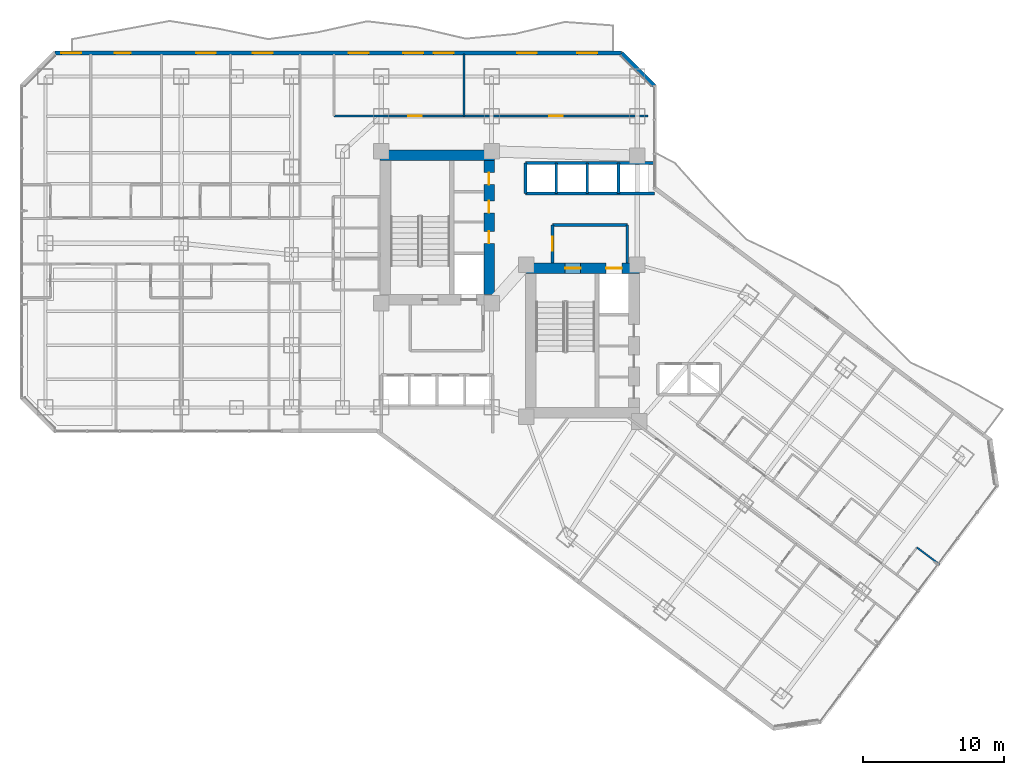
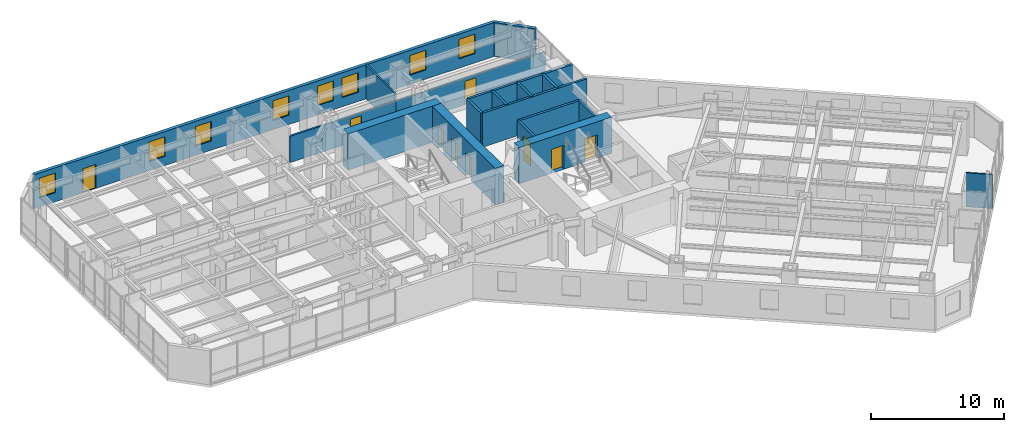
# One storey, part 27 of 38: 18 walls, 9 doors, 8 windows, 17 openings.
"""IFC4 building model written with IfcOpenShell, lengths in metres."""

from ifc_helpers import new_model, si_unit, direction, frame, frame_2d, origin, place, context, subcontext, project, spatial, rectangle, extrude, material, layer, layer_set, type_object, element, fill, save


model = new_model("IFC4")

# Units and contexts
model_context = context("Model", 3, precision=1e-05, world=origin(), true_north=direction((0.0, 1.0)))
body_context = subcontext(model_context, "Body", "Model", "MODEL_VIEW")
ifc_project = project(units=[si_unit("LENGTHUNIT", "METRE"), si_unit("AREAUNIT", "SQUARE_METRE"), si_unit("VOLUMEUNIT", "CUBIC_METRE"), si_unit("PLANEANGLEUNIT", "RADIAN"), si_unit("MASSUNIT", "GRAM", prefix="KILO")], contexts=[model_context])

# Site, building, storey
site_placement = place(None, origin())
site = spatial("IfcSite", under=ifc_project, at=site_placement, CompositionType="ELEMENT")
building_placement = place(site_placement, origin())
building = spatial("IfcBuilding", under=site, at=building_placement, Name="Hatsunagi Terrace Concourse", CompositionType="ELEMENT")
storey_placement = place(building_placement, frame((0.0, 0.0, 60.050048828125)))
storey = spatial("IfcBuildingStorey", under=building, at=storey_placement, Name="L15", CompositionType="ELEMENT", Elevation=60.050048828125)

# Wall
ifc_material_1 = material(Name="Concrete Fc60", Category="concrete")
ifc_layer_1 = layer(ifc_material_1, 0.75)
ifc_layer_set_1 = layer_set([ifc_layer_1], Name="CoreShearWall_Fc60_750")
wall_type_1 = type_object("IfcWallType", Name="CoreShearWall_Fc60_750", PredefinedType="SHEAR", material=ifc_layer_set_1)
wall_1_placement = place(storey_placement, frame((25.469970703125, 43.044921875, 0.0), z_axis=(0.0, 0.0, 1.0), x_axis=(1.0, 0.0, 0.0)))
element("IfcWall", 1, at=wall_1_placement, inside=storey, type_object=wall_type_1, Name="Core A Shear Wall N L15", PredefinedType="SHEAR", context=body_context, shape_type="SweptSolid", body=[
    extrude(rectangle(XDim=8.080078125, YDim=0.75, at=frame_2d((4.0400390625, 0.0))), origin(), (0.0, 0.0, 1.0), 3.349853515625),
])

# Wall, openings, doors
wall_2_placement = place(storey_placement, frame((33.175048828125, 33.18994140625, 0.0), z_axis=(0.0, 0.0, 1.0), x_axis=(0.0, 1.0, 0.0)))
wall_2 = element("IfcWall", 2, at=wall_2_placement, inside=storey, type_object=wall_type_1, Name="Core A Shear Wall E L15", PredefinedType="SHEAR", context=body_context, shape_type="SweptSolid", body=[
    extrude(rectangle(XDim=9.47998046875, YDim=0.75, at=frame_2d((4.739990234375, 0.0))), origin(), (0.0, 0.0, 1.0), 3.349853515625),
])
opening_1_placement = place(wall_2_placement, frame((3.610107421875, 0.0, 0.0)))
opening_1 = element("IfcOpeningElement", 3, at=opening_1_placement, cuts=wall_2, Name="Opening DR-085", PredefinedType="OPENING", context=body_context, shape_type="SweptSolid", body=[
    extrude(rectangle(XDim=0.85009765625, YDim=2.080078125, at=frame_2d((0.425048828125, 1.0400390625))), frame((0.0, 0.385009765625, 0.0), z_axis=(0.0, -1.0, 0.0), x_axis=(1.0, 0.0, 0.0)), (0.0, 0.0, 1.0), 0.77001953125),
])
opening_2_placement = place(wall_2_placement, frame((5.760009765625, 0.0, 0.0)))
opening_2 = element("IfcOpeningElement", 4, at=opening_2_placement, cuts=wall_2, Name="Opening DR-085", PredefinedType="OPENING", context=body_context, shape_type="SweptSolid", body=[
    extrude(rectangle(XDim=0.85009765625, YDim=2.080078125, at=frame_2d((0.425048828125, 1.0400390625))), frame((0.0, 0.385009765625, 0.0), z_axis=(0.0, -1.0, 0.0), x_axis=(1.0, 0.0, 0.0)), (0.0, 0.0, 1.0), 0.77001953125),
])
opening_3_placement = place(wall_2_placement, frame((7.760009765625, 0.0, 0.0)))
opening_3 = element("IfcOpeningElement", 5, at=opening_3_placement, cuts=wall_2, Name="Opening DR-085", PredefinedType="OPENING", context=body_context, shape_type="SweptSolid", body=[
    extrude(rectangle(XDim=0.85009765625, YDim=2.080078125, at=frame_2d((0.425048828125, 1.0400390625))), frame((0.0, 0.385009765625, 0.0), z_axis=(0.0, -1.0, 0.0), x_axis=(1.0, 0.0, 0.0)), (0.0, 0.0, 1.0), 0.77001953125),
])
ifc_material_2 = material(Name="Painted steel", Category="steel")
door_type_1 = type_object("IfcDoorType", Name="RiserAccessDoor_EI60_850", OperationType="NOTDEFINED", PredefinedType="DOOR", material=ifc_material_2)
door_1_placement = place(opening_1_placement, origin())
door_1 = element("IfcDoor", 6, at=door_1_placement, inside=storey, type_object=door_type_1, Name="Core A Riser Door L15-1", OperationType="SINGLE_SWING_LEFT", OverallHeight=2.080078125, OverallWidth=0.85009765625, PredefinedType="DOOR", context=body_context, shape_type="SweptSolid", body=[
    extrude(rectangle(XDim=0.85009765625, YDim=2.080078125, at=frame_2d((0.425048828125, 1.0400390625))), frame((0.0, 0.02490234375, 0.0), z_axis=(0.0, -1.0, 0.0), x_axis=(1.0, 0.0, 0.0)), (0.0, 0.0, 1.0), 0.050048828125),
])
fill(opening_1, door_1)
door_2_placement = place(opening_2_placement, origin())
door_2 = element("IfcDoor", 7, at=door_2_placement, inside=storey, type_object=door_type_1, Name="Core A Riser Door L15-2", OperationType="SINGLE_SWING_LEFT", OverallHeight=2.080078125, OverallWidth=0.85009765625, PredefinedType="DOOR", context=body_context, shape_type="SweptSolid", body=[
    extrude(rectangle(XDim=0.85009765625, YDim=2.080078125, at=frame_2d((0.425048828125, 1.0400390625))), frame((0.0, 0.02490234375, 0.0), z_axis=(0.0, -1.0, 0.0), x_axis=(1.0, 0.0, 0.0)), (0.0, 0.0, 1.0), 0.050048828125),
])
fill(opening_2, door_2)
door_3_placement = place(opening_3_placement, origin())
door_3 = element("IfcDoor", 8, at=door_3_placement, inside=storey, type_object=door_type_1, Name="Core A Riser Door L15-3", OperationType="SINGLE_SWING_LEFT", OverallHeight=2.080078125, OverallWidth=0.85009765625, PredefinedType="DOOR", context=body_context, shape_type="SweptSolid", body=[
    extrude(rectangle(XDim=0.85009765625, YDim=2.080078125, at=frame_2d((0.425048828125, 1.0400390625))), frame((0.0, 0.02490234375, 0.0), z_axis=(0.0, -1.0, 0.0), x_axis=(1.0, 0.0, 0.0)), (0.0, 0.0, 1.0), 0.050048828125),
])
fill(opening_3, door_3)

wall_3_placement = place(storey_placement, frame((35.739990234375, 35.044921875, 0.0), z_axis=(0.0, 0.0, 1.0), x_axis=(1.0, 0.0, 0.0)))
wall_3 = element("IfcWall", 9, at=wall_3_placement, inside=storey, type_object=wall_type_1, Name="Core B Shear Wall N L15", PredefinedType="SHEAR", context=body_context, shape_type="SweptSolid", body=[
    extrude(rectangle(XDim=8.06005859375, YDim=0.75, at=frame_2d((4.030029296875, 0.0))), origin(), (0.0, 0.0, 1.0), 3.349853515625),
])
opening_4_placement = place(wall_3_placement, frame((2.81005859375, 0.0, 0.0)))
opening_4 = element("IfcOpeningElement", 10, at=opening_4_placement, cuts=wall_3, Name="Opening DR-110S", PredefinedType="OPENING", context=body_context, shape_type="SweptSolid", body=[
    extrude(rectangle(XDim=1.10009765625, YDim=2.199951171875, at=frame_2d((0.550048828125, 1.10009765625))), frame((0.0, 0.385009765625, 0.0), z_axis=(0.0, -1.0, 0.0), x_axis=(1.0, 0.0, 0.0)), (0.0, 0.0, 1.0), 0.77001953125),
])
opening_5_placement = place(wall_3_placement, frame((5.7099609375, 0.0, 0.0)))
opening_5 = element("IfcOpeningElement", 11, at=opening_5_placement, cuts=wall_3, Name="Opening LD-02", PredefinedType="OPENING", context=body_context, shape_type="SweptSolid", body=[
    extrude(rectangle(XDim=1.1201171875, YDim=2.14990234375, at=frame_2d((0.56005859375, 1.074951171875))), frame((0.0, 0.385009765625, 0.0), z_axis=(0.0, -1.0, 0.0), x_axis=(1.0, 0.0, 0.0)), (0.0, 0.0, 1.0), 0.77001953125),
])
ifc_material_3 = material(Name="Stainless steel", Category="steel")
door_type_2 = type_object("IfcDoorType", Name="LiftLandingDoor_LD02", OperationType="SLIDING_TO_RIGHT", PredefinedType="USERDEFINED", material=ifc_material_3)
door_4_placement = place(opening_5_placement, origin())
door_4 = element("IfcDoor", 12, at=door_4_placement, inside=storey, type_object=door_type_2, Name="Lift landing door FF-02 L15", ObjectType="SLIDING_LANDING_DOOR", OperationType="SLIDING_TO_RIGHT", OverallHeight=2.14990234375, OverallWidth=1.1201171875, PredefinedType="USERDEFINED", context=body_context, shape_type="SweptSolid", body=[
    extrude(rectangle(XDim=1.1201171875, YDim=2.14990234375, at=frame_2d((0.56005859375, 1.074951171875))), frame((0.0, 0.02490234375, 0.0), z_axis=(0.0, -1.0, 0.0), x_axis=(1.0, 0.0, 0.0)), (0.0, 0.0, 1.0), 0.050048828125),
])
fill(opening_5, door_4)
ifc_material_4 = material(Name="Painted steel", Category="steel")
door_type_3 = type_object("IfcDoorType", Name="StairFireDoor_EI60_1100", OperationType="NOTDEFINED", PredefinedType="DOOR", material=ifc_material_4)
door_5_placement = place(opening_4_placement, origin())
door_5 = element("IfcDoor", 13, at=door_5_placement, inside=storey, type_object=door_type_3, Name="Stair ST-B Exit Door L15", OperationType="SINGLE_SWING_RIGHT", OverallHeight=2.199951171875, OverallWidth=1.10009765625, PredefinedType="DOOR", context=body_context, shape_type="SweptSolid", body=[
    extrude(rectangle(XDim=1.10009765625, YDim=2.199951171875, at=frame_2d((0.550048828125, 1.10009765625))), frame((0.0, 0.02490234375, 0.0), z_axis=(0.0, -1.0, 0.0), x_axis=(1.0, 0.0, 0.0)), (0.0, 0.0, 1.0), 0.050048828125),
])
fill(opening_4, door_5)

# Wall
ifc_material_5 = material(Name="Acoustic mineral board", Category="gypsum")
ifc_layer_2 = layer(ifc_material_5, 0.1201171875)
ifc_layer_set_2 = layer_set([ifc_layer_2], Name="PartitionWall_EI30_120")
wall_type_2 = type_object("IfcWallType", Name="PartitionWall_EI30_120", PredefinedType="PARTITIONING", material=ifc_layer_set_2)
wall_4_placement = place(storey_placement, frame((63.429931640625, 15.2900390625, 0.0), z_axis=(0.0, 0.0, 1.0), x_axis=(0.800014574191, -0.599980567254, 0.0)))
element("IfcWall", 14, at=wall_4_placement, inside=storey, type_object=wall_type_2, Name="Interior Partition IW-L15-102", PredefinedType="PARTITIONING", context=body_context, shape_type="SweptSolid", body=[
    extrude(rectangle(XDim=2.01025390625, YDim=0.1201171875, at=frame_2d((1.005126953125, 0.0))), origin(), (0.0, 0.0, 1.0), 3.1298828125),
])

# Wall, opening, door
ifc_material_6 = material(Name="Acoustic mineral board", Category="gypsum")
ifc_layer_3 = layer(ifc_material_6, 0.14990234375)
ifc_layer_set_3 = layer_set([ifc_layer_3], Name="PartitionWall_EI60_150")
wall_type_3 = type_object("IfcWallType", Name="PartitionWall_EI60_150", PredefinedType="PARTITIONING", material=ifc_layer_set_3)
wall_5_placement = place(storey_placement, frame((22.199951171875, 45.800048828125, 0.0), z_axis=(0.0, 0.0, 1.0), x_axis=(1.0, 0.0, 0.0)))
wall_5 = element("IfcWall", 15, at=wall_5_placement, inside=storey, type_object=wall_type_3, Name="Interior Partition IW-L15-039", PredefinedType="PARTITIONING", context=body_context, shape_type="SweptSolid", body=[
    extrude(rectangle(XDim=9.199951171875, YDim=0.14990234375, at=frame_2d((4.60009765625, 0.0))), origin(), (0.0, 0.0, 1.0), 2.425048828125),
])
opening_6_placement = place(wall_5_placement, frame((5.248046875, 0.0, 0.0)))
opening_6 = element("IfcOpeningElement", 16, at=opening_6_placement, cuts=wall_5, Name="Opening DR-095", PredefinedType="OPENING", context=body_context, shape_type="SweptSolid", body=[
    extrude(rectangle(XDim=0.949951171875, YDim=2.14990234375, at=frame_2d((0.47509765625, 1.074951171875))), frame((0.0, 0.0849609375, 0.0), z_axis=(0.0, -1.0, 0.0), x_axis=(1.0, 0.0, 0.0)), (0.0, 0.0, 1.0), 0.169921875),
])
ifc_material_7 = material(Name="Hardwood timber", Category="wood")
door_type_4 = type_object("IfcDoorType", Name="InteriorSuiteDoor_EI30_950", OperationType="NOTDEFINED", PredefinedType="DOOR", material=ifc_material_7)
door_6_placement = place(opening_6_placement, origin())
door_6 = element("IfcDoor", 17, at=door_6_placement, inside=storey, type_object=door_type_4, Name="Housekeeping Linen Room L15-HLIN Door", OperationType="SINGLE_SWING_LEFT", OverallHeight=2.14990234375, OverallWidth=0.949951171875, PredefinedType="DOOR", context=body_context, shape_type="SweptSolid", body=[
    extrude(rectangle(XDim=0.949951171875, YDim=2.14990234375, at=frame_2d((0.47509765625, 1.074951171875))), frame((0.0, 0.02490234375, 0.0), z_axis=(0.0, -1.0, 0.0), x_axis=(1.0, 0.0, 0.0)), (0.0, 0.0, 1.0), 0.050048828125),
])
fill(opening_6, door_6)

# Wall
wall_6_placement = place(storey_placement, frame((31.39990234375, 45.800048828125, 0.0), z_axis=(0.0, 0.0, 1.0), x_axis=(0.0, 1.0, 0.0)))
element("IfcWall", 18, at=wall_6_placement, inside=storey, type_object=wall_type_3, Name="Interior Partition IW-L15-041", PredefinedType="PARTITIONING", context=body_context, shape_type="SweptSolid", body=[
    extrude(rectangle(XDim=4.39990234375, YDim=0.14990234375, at=frame_2d((2.199951171875, 0.0))), origin(), (0.0, 0.0, 1.0), 3.1298828125),
])

# Wall, opening, door
wall_7_placement = place(storey_placement, frame((31.39990234375, 45.800048828125, 0.0), z_axis=(0.0, 0.0, 1.0), x_axis=(1.0, 0.0, 0.0)))
wall_7 = element("IfcWall", 19, at=wall_7_placement, inside=storey, type_object=wall_type_3, Name="Interior Partition IW-L15-042", PredefinedType="PARTITIONING", context=body_context, shape_type="SweptSolid", body=[
    extrude(rectangle(XDim=13.0, YDim=0.14990234375, at=frame_2d((6.5, 0.0))), origin(), (0.0, 0.0, 1.0), 2.425048828125),
])
opening_7_placement = place(wall_7_placement, frame((6.02490234375, 0.0, 0.0)))
opening_7 = element("IfcOpeningElement", 20, at=opening_7_placement, cuts=wall_7, Name="Opening DR-095", PredefinedType="OPENING", context=body_context, shape_type="SweptSolid", body=[
    extrude(rectangle(XDim=0.949951171875, YDim=2.14990234375, at=frame_2d((0.47509765625, 1.074951171875))), frame((0.0, 0.0849609375, 0.0), z_axis=(0.0, -1.0, 0.0), x_axis=(1.0, 0.0, 0.0)), (0.0, 0.0, 1.0), 0.169921875),
])
door_7_placement = place(opening_7_placement, origin())
door_7 = element("IfcDoor", 21, at=door_7_placement, inside=storey, type_object=door_type_4, Name="VIP Lounge L15-HLNG Door", OperationType="SINGLE_SWING_LEFT", OverallHeight=2.14990234375, OverallWidth=0.949951171875, PredefinedType="DOOR", context=body_context, shape_type="SweptSolid", body=[
    extrude(rectangle(XDim=0.949951171875, YDim=2.14990234375, at=frame_2d((0.47509765625, 1.074951171875))), frame((0.0, 0.02490234375, 0.0), z_axis=(0.0, -1.0, 0.0), x_axis=(1.0, 0.0, 0.0)), (0.0, 0.0, 1.0), 0.050048828125),
])
fill(opening_7, door_7)

# Walls
ifc_material_8 = material(Name="Acoustic mineral board", Category="gypsum")
ifc_layer_4 = layer(ifc_material_8, 0.199951171875)
ifc_layer_set_4 = layer_set([ifc_layer_4], Name="ShaftWall_EI120_200")
wall_type_4 = type_object("IfcWallType", Name="ShaftWall_EI120_200", PredefinedType="STANDARD", material=ifc_layer_set_4)
wall_8_placement = place(storey_placement, frame((37.64990234375, 38.10009765625, 0.0), z_axis=(0.0, 0.0, 1.0), x_axis=(1.0, 0.0, 0.0)))
element("IfcWall", 22, at=wall_8_placement, inside=storey, type_object=wall_type_4, Name="Interior Partition IW-L15-010", PredefinedType="STANDARD", context=body_context, shape_type="SweptSolid", body=[
    extrude(rectangle(XDim=5.300048828125, YDim=0.199951171875, at=frame_2d((2.64990234375, 0.0))), origin(), (0.0, 0.0, 1.0), 3.1298828125),
])
wall_9_placement = place(storey_placement, frame((42.949951171875, 35.419921875, 0.0), z_axis=(0.0, 0.0, 1.0), x_axis=(0.0, 1.0, 0.0)))
element("IfcWall", 23, at=wall_9_placement, inside=storey, type_object=wall_type_4, Name="Interior Partition IW-L15-011", PredefinedType="STANDARD", context=body_context, shape_type="SweptSolid", body=[
    extrude(rectangle(XDim=2.68017578125, YDim=0.199951171875, at=frame_2d((1.340087890625, 0.0))), origin(), (0.0, 0.0, 1.0), 3.1298828125),
])

# Wall, opening, door
wall_10_placement = place(storey_placement, frame((37.64990234375, 35.419921875, 0.0), z_axis=(0.0, 0.0, 1.0), x_axis=(0.0, 1.0, 0.0)))
wall_10 = element("IfcWall", 24, at=wall_10_placement, inside=storey, type_object=wall_type_4, Name="Interior Partition IW-L15-012", PredefinedType="STANDARD", context=body_context, shape_type="SweptSolid", body=[
    extrude(rectangle(XDim=2.68017578125, YDim=0.199951171875, at=frame_2d((1.340087890625, 0.0))), origin(), (0.0, 0.0, 1.0), 3.1298828125),
])
opening_8_placement = place(wall_10_placement, frame((0.840087890625, 0.0, 0.0)))
opening_8 = element("IfcOpeningElement", 25, at=opening_8_placement, cuts=wall_10, Name="Opening DR-100F", PredefinedType="OPENING", context=body_context, shape_type="SweptSolid", body=[
    extrude(rectangle(XDim=1.0, YDim=2.199951171875, at=frame_2d((0.5, 1.10009765625))), frame((0.0, 0.10986328125, 0.0), z_axis=(0.0, -1.0, 0.0), x_axis=(1.0, 0.0, 0.0)), (0.0, 0.0, 1.0), 0.219970703125),
])
ifc_material_9 = material(Name="Painted steel", Category="steel")
door_type_5 = type_object("IfcDoorType", Name="FireDoor_EI60_1000", OperationType="NOTDEFINED", PredefinedType="DOOR", material=ifc_material_9)
door_8_placement = place(opening_8_placement, origin())
door_8 = element("IfcDoor", 26, at=door_8_placement, inside=storey, type_object=door_type_5, Name="Firefighting Lobby B Door L15", OperationType="SINGLE_SWING_RIGHT", OverallHeight=2.199951171875, OverallWidth=1.0, PredefinedType="DOOR", context=body_context, shape_type="SweptSolid", body=[
    extrude(rectangle(XDim=1.0, YDim=2.199951171875, at=frame_2d((0.5, 1.10009765625))), frame((0.0, 0.02490234375, 0.0), z_axis=(0.0, -1.0, 0.0), x_axis=(1.0, 0.0, 0.0)), (0.0, 0.0, 1.0), 0.050048828125),
])
fill(opening_8, door_8)

# Walls
wall_11_placement = place(storey_placement, frame((35.75, 42.47998046875, 0.0), z_axis=(0.0, 0.0, 1.0), x_axis=(1.0, 0.0, 0.0)))
element("IfcWall", 27, at=wall_11_placement, inside=storey, type_object=wall_type_4, Name="Interior Partition IW-L15-020", PredefinedType="STANDARD", context=body_context, shape_type="SweptSolid", body=[
    extrude(rectangle(XDim=9.110107421875, YDim=0.199951171875, at=frame_2d((4.55517578125, 0.0))), origin(), (0.0, 0.0, 1.0), 3.1298828125),
])
for number, where, z_axis, x_axis, name in (
    (28, (35.75, 40.320068359375, 0.0), (0.0, 0.0, 1.0), (0.0, 1.0, 0.0), "Interior Partition IW-L15-021"),
    (29, (37.919921875, 40.320068359375, 0.0), (0.0, 0.0, 1.0), (0.0, 1.0, 0.0), "Interior Partition IW-L15-022"),
    (30, (40.1201171875, 40.320068359375, 0.0), (0.0, 0.0, 1.0), (0.0, 1.0, 0.0), "Interior Partition IW-L15-023"),
    (31, (42.320068359375, 40.320068359375, 0.0), (0.0, 0.0, 1.0), (0.0, 1.0, 0.0), "Interior Partition IW-L15-024"),
):
    element("IfcWall", number, at=place(storey_placement, frame(where, z_axis=z_axis, x_axis=x_axis)), inside=storey, type_object=wall_type_4, Name=name, PredefinedType="STANDARD", context=body_context, shape_type="SweptSolid", body=[
        extrude(rectangle(XDim=2.159912109375, YDim=0.199951171875, at=frame_2d((1.080078125, 0.0))), origin(), (0.0, 0.0, 1.0), 3.1298828125),
    ])
wall_12_placement = place(storey_placement, frame((35.75, 40.320068359375, 0.0), z_axis=(0.0, 0.0, 1.0), x_axis=(1.0, 0.0, 0.0)))
element("IfcWall", 32, at=wall_12_placement, inside=storey, type_object=wall_type_4, Name="Interior Partition IW-L15-025", PredefinedType="STANDARD", context=body_context, shape_type="SweptSolid", body=[
    extrude(rectangle(XDim=9.110107421875, YDim=0.199951171875, at=frame_2d((4.55517578125, 0.0))), origin(), (0.0, 0.0, 1.0), 3.1298828125),
])

# Wall, openings, door, windows
ifc_material_10 = material(Name="Autoclaved Lightweight Concrete and Terracotta Cladding", Category="masonry")
ifc_layer_5 = layer(ifc_material_10, 0.280029296875)
ifc_layer_set_5 = layer_set([ifc_layer_5], Name="TerracottaSpandrelWall_280")
wall_type_5 = type_object("IfcWallType", Name="TerracottaSpandrelWall_280", PredefinedType="STANDARD", material=ifc_layer_set_5)
wall_13_placement = place(storey_placement, frame((2.4580078125, 50.260009765625, 0.0), z_axis=(0.0, 0.0, 1.0), x_axis=(1.0, 0.0, 0.0)))
wall_13 = element("IfcWall", 33, at=wall_13_placement, inside=storey, type_object=wall_type_5, Name="Exterior Spandrel Wall EW-L15-11", PredefinedType="STANDARD", context=body_context, shape_type="SweptSolid", body=[
    extrude(rectangle(XDim=40.083984375, YDim=0.280029296875, at=frame_2d((20.0419921875, 0.0))), origin(), (0.0, 0.0, 1.0), 3.1298828125),
])
opening_9_placement = place(wall_13_placement, frame((4.260009765625, 0.0, 0.0)))
opening_9 = element("IfcOpeningElement", 34, at=opening_9_placement, cuts=wall_13, Name="Opening BD-01", PredefinedType="OPENING", context=body_context, shape_type="SweptSolid", body=[
    extrude(rectangle(XDim=1.10009765625, YDim=2.199951171875, at=frame_2d((0.550048828125, 1.10009765625))), frame((0.0, 0.14990234375, 0.0), z_axis=(0.0, -1.0, 0.0), x_axis=(1.0, 0.0, 0.0)), (0.0, 0.0, 1.0), 0.300048828125),
])
opening_10_placement = place(wall_13_placement, frame((0.4599609375, 0.0, 0.85009765625)))
opening_10 = element("IfcOpeningElement", 35, at=opening_10_placement, cuts=wall_13, Name="Opening WIN-02", PredefinedType="OPENING", context=body_context, shape_type="SweptSolid", body=[
    extrude(rectangle(XDim=1.39990234375, YDim=1.800048828125, at=frame_2d((0.699951171875, 0.89990234375))), frame((0.0, 0.14990234375, 0.0), z_axis=(0.0, -1.0, 0.0), x_axis=(1.0, 0.0, 0.0)), (0.0, 0.0, 1.0), 0.300048828125),
])
opening_11_placement = place(wall_13_placement, frame((10.0, 0.0, 0.85009765625)))
opening_11 = element("IfcOpeningElement", 36, at=opening_11_placement, cuts=wall_13, Name="Opening WIN-02", PredefinedType="OPENING", context=body_context, shape_type="SweptSolid", body=[
    extrude(rectangle(XDim=1.39990234375, YDim=1.800048828125, at=frame_2d((0.699951171875, 0.89990234375))), frame((0.0, 0.14990234375, 0.0), z_axis=(0.0, -1.0, 0.0), x_axis=(1.0, 0.0, 0.0)), (0.0, 0.0, 1.0), 0.300048828125),
])
opening_12_placement = place(wall_13_placement, frame((14.02001953125, 0.0, 0.85009765625)))
opening_12 = element("IfcOpeningElement", 37, at=opening_12_placement, cuts=wall_13, Name="Opening WIN-02", PredefinedType="OPENING", context=body_context, shape_type="SweptSolid", body=[
    extrude(rectangle(XDim=1.39990234375, YDim=1.800048828125, at=frame_2d((0.699951171875, 0.89990234375))), frame((0.0, 0.14990234375, 0.0), z_axis=(0.0, -1.0, 0.0), x_axis=(1.0, 0.0, 0.0)), (0.0, 0.0, 1.0), 0.300048828125),
])
opening_13_placement = place(wall_13_placement, frame((20.7890625, 0.0, 0.85009765625)))
opening_13 = element("IfcOpeningElement", 38, at=opening_13_placement, cuts=wall_13, Name="Opening WIN-02", PredefinedType="OPENING", context=body_context, shape_type="SweptSolid", body=[
    extrude(rectangle(XDim=1.39990234375, YDim=1.800048828125, at=frame_2d((0.699951171875, 0.89990234375))), frame((0.0, 0.14990234375, 0.0), z_axis=(0.0, -1.0, 0.0), x_axis=(1.0, 0.0, 0.0)), (0.0, 0.0, 1.0), 0.300048828125),
])
opening_14_placement = place(wall_13_placement, frame((24.6640625, 0.0, 0.85009765625)))
opening_14 = element("IfcOpeningElement", 39, at=opening_14_placement, cuts=wall_13, Name="Opening WIN-02", PredefinedType="OPENING", context=body_context, shape_type="SweptSolid", body=[
    extrude(rectangle(XDim=1.39990234375, YDim=1.800048828125, at=frame_2d((0.699951171875, 0.89990234375))), frame((0.0, 0.14990234375, 0.0), z_axis=(0.0, -1.0, 0.0), x_axis=(1.0, 0.0, 0.0)), (0.0, 0.0, 1.0), 0.300048828125),
])
opening_15_placement = place(wall_13_placement, frame((26.802978515625, 0.0, 0.85009765625)))
opening_15 = element("IfcOpeningElement", 40, at=opening_15_placement, cuts=wall_13, Name="Opening WIN-02", PredefinedType="OPENING", context=body_context, shape_type="SweptSolid", body=[
    extrude(rectangle(XDim=1.39990234375, YDim=1.800048828125, at=frame_2d((0.699951171875, 0.89990234375))), frame((0.0, 0.14990234375, 0.0), z_axis=(0.0, -1.0, 0.0), x_axis=(1.0, 0.0, 0.0)), (0.0, 0.0, 1.0), 0.300048828125),
])
opening_16_placement = place(wall_13_placement, frame((32.702880859375, 0.0, 0.85009765625)))
opening_16 = element("IfcOpeningElement", 41, at=opening_16_placement, cuts=wall_13, Name="Opening WIN-02", PredefinedType="OPENING", context=body_context, shape_type="SweptSolid", body=[
    extrude(rectangle(XDim=1.39990234375, YDim=1.800048828125, at=frame_2d((0.699951171875, 0.89990234375))), frame((0.0, 0.14990234375, 0.0), z_axis=(0.0, -1.0, 0.0), x_axis=(1.0, 0.0, 0.0)), (0.0, 0.0, 1.0), 0.300048828125),
])
opening_17_placement = place(wall_13_placement, frame((36.967041015625, 0.0, 0.85009765625)))
opening_17 = element("IfcOpeningElement", 42, at=opening_17_placement, cuts=wall_13, Name="Opening WIN-02", PredefinedType="OPENING", context=body_context, shape_type="SweptSolid", body=[
    extrude(rectangle(XDim=1.39990234375, YDim=1.800048828125, at=frame_2d((0.699951171875, 0.89990234375))), frame((0.0, 0.14990234375, 0.0), z_axis=(0.0, -1.0, 0.0), x_axis=(1.0, 0.0, 0.0)), (0.0, 0.0, 1.0), 0.300048828125),
])
ifc_material_11 = material(Name="Galvanised Steel and Laminated Safety Glass", Category="steel")
door_type_6 = type_object("IfcDoorType", Name="BalconyTerraceAccessDoor_1100x2200", OperationType="SINGLE_SWING_LEFT", PredefinedType="DOOR", material=ifc_material_11)
door_9_placement = place(opening_9_placement, origin())
door_9 = element("IfcDoor", 43, at=door_9_placement, inside=storey, type_object=door_type_6, Name="Engawa Balcony Door L15-BN", OperationType="SINGLE_SWING_RIGHT", OverallHeight=2.199951171875, OverallWidth=1.10009765625, PredefinedType="DOOR", context=body_context, shape_type="SweptSolid", body=[
    extrude(rectangle(XDim=1.10009765625, YDim=2.199951171875, at=frame_2d((0.550048828125, 1.10009765625))), frame((0.0, 0.02490234375, 0.0), z_axis=(0.0, -1.0, 0.0), x_axis=(1.0, 0.0, 0.0)), (0.0, 0.0, 1.0), 0.050048828125),
])
fill(opening_9, door_9)
ifc_material_12 = material(Name="Thermally Broken Aluminium and Low-E Triple Glazing", Category="aluminium")
window_type = type_object("IfcWindowType", Name="HotelOperableVentWindow_1400x1800", PartitioningType="DOUBLE_PANEL_VERTICAL", PredefinedType="WINDOW", material=ifc_material_12)
window_1_placement = place(opening_10_placement, origin())
window_1 = element("IfcWindow", 44, at=window_1_placement, inside=storey, type_object=window_type, Name="Balcony Daylighting Window L15-11-1", OverallHeight=1.800048828125, OverallWidth=1.39990234375, PartitioningType="SINGLE_PANEL", PredefinedType="WINDOW", context=body_context, shape_type="SweptSolid", body=[
    extrude(rectangle(XDim=1.39990234375, YDim=1.800048828125, at=frame_2d((0.699951171875, 0.89990234375))), frame((0.0, 0.030029296875, 0.0), z_axis=(0.0, -1.0, 0.0), x_axis=(1.0, 0.0, 0.0)), (0.0, 0.0, 1.0), 0.06005859375),
])
fill(opening_10, window_1)
window_2_placement = place(opening_11_placement, origin())
window_2 = element("IfcWindow", 45, at=window_2_placement, inside=storey, type_object=window_type, Name="Balcony Daylighting Window L15-11-3", OverallHeight=1.800048828125, OverallWidth=1.39990234375, PartitioningType="SINGLE_PANEL", PredefinedType="WINDOW", context=body_context, shape_type="SweptSolid", body=[
    extrude(rectangle(XDim=1.39990234375, YDim=1.800048828125, at=frame_2d((0.699951171875, 0.89990234375))), frame((0.0, 0.030029296875, 0.0), z_axis=(0.0, -1.0, 0.0), x_axis=(1.0, 0.0, 0.0)), (0.0, 0.0, 1.0), 0.06005859375),
])
fill(opening_11, window_2)
window_3_placement = place(opening_12_placement, origin())
window_3 = element("IfcWindow", 46, at=window_3_placement, inside=storey, type_object=window_type, Name="Balcony Daylighting Window L15-11-4", OverallHeight=1.800048828125, OverallWidth=1.39990234375, PartitioningType="SINGLE_PANEL", PredefinedType="WINDOW", context=body_context, shape_type="SweptSolid", body=[
    extrude(rectangle(XDim=1.39990234375, YDim=1.800048828125, at=frame_2d((0.699951171875, 0.89990234375))), frame((0.0, 0.030029296875, 0.0), z_axis=(0.0, -1.0, 0.0), x_axis=(1.0, 0.0, 0.0)), (0.0, 0.0, 1.0), 0.06005859375),
])
fill(opening_12, window_3)
window_4_placement = place(opening_13_placement, origin())
window_4 = element("IfcWindow", 47, at=window_4_placement, inside=storey, type_object=window_type, Name="Balcony Daylighting Window L15-11-5", OverallHeight=1.800048828125, OverallWidth=1.39990234375, PartitioningType="SINGLE_PANEL", PredefinedType="WINDOW", context=body_context, shape_type="SweptSolid", body=[
    extrude(rectangle(XDim=1.39990234375, YDim=1.800048828125, at=frame_2d((0.699951171875, 0.89990234375))), frame((0.0, 0.030029296875, 0.0), z_axis=(0.0, -1.0, 0.0), x_axis=(1.0, 0.0, 0.0)), (0.0, 0.0, 1.0), 0.06005859375),
])
fill(opening_13, window_4)
window_5_placement = place(opening_14_placement, origin())
window_5 = element("IfcWindow", 48, at=window_5_placement, inside=storey, type_object=window_type, Name="Balcony Daylighting Window L15-11-6", OverallHeight=1.800048828125, OverallWidth=1.39990234375, PartitioningType="SINGLE_PANEL", PredefinedType="WINDOW", context=body_context, shape_type="SweptSolid", body=[
    extrude(rectangle(XDim=1.39990234375, YDim=1.800048828125, at=frame_2d((0.699951171875, 0.89990234375))), frame((0.0, 0.030029296875, 0.0), z_axis=(0.0, -1.0, 0.0), x_axis=(1.0, 0.0, 0.0)), (0.0, 0.0, 1.0), 0.06005859375),
])
fill(opening_14, window_5)
window_6_placement = place(opening_15_placement, origin())
window_6 = element("IfcWindow", 49, at=window_6_placement, inside=storey, type_object=window_type, Name="Balcony Daylighting Window L15-11-7", OverallHeight=1.800048828125, OverallWidth=1.39990234375, PartitioningType="SINGLE_PANEL", PredefinedType="WINDOW", context=body_context, shape_type="SweptSolid", body=[
    extrude(rectangle(XDim=1.39990234375, YDim=1.800048828125, at=frame_2d((0.699951171875, 0.89990234375))), frame((0.0, 0.030029296875, 0.0), z_axis=(0.0, -1.0, 0.0), x_axis=(1.0, 0.0, 0.0)), (0.0, 0.0, 1.0), 0.06005859375),
])
fill(opening_15, window_6)
window_7_placement = place(opening_16_placement, origin())
window_7 = element("IfcWindow", 50, at=window_7_placement, inside=storey, type_object=window_type, Name="Balcony Daylighting Window L15-11-8", OverallHeight=1.800048828125, OverallWidth=1.39990234375, PartitioningType="SINGLE_PANEL", PredefinedType="WINDOW", context=body_context, shape_type="SweptSolid", body=[
    extrude(rectangle(XDim=1.39990234375, YDim=1.800048828125, at=frame_2d((0.699951171875, 0.89990234375))), frame((0.0, 0.030029296875, 0.0), z_axis=(0.0, -1.0, 0.0), x_axis=(1.0, 0.0, 0.0)), (0.0, 0.0, 1.0), 0.06005859375),
])
fill(opening_16, window_7)
window_8_placement = place(opening_17_placement, origin())
window_8 = element("IfcWindow", 51, at=window_8_placement, inside=storey, type_object=window_type, Name="Balcony Daylighting Window L15-11-9", OverallHeight=1.800048828125, OverallWidth=1.39990234375, PartitioningType="SINGLE_PANEL", PredefinedType="WINDOW", context=body_context, shape_type="SweptSolid", body=[
    extrude(rectangle(XDim=1.39990234375, YDim=1.800048828125, at=frame_2d((0.699951171875, 0.89990234375))), frame((0.0, 0.030029296875, 0.0), z_axis=(0.0, -1.0, 0.0), x_axis=(1.0, 0.0, 0.0)), (0.0, 0.0, 1.0), 0.06005859375),
])
fill(opening_17, window_8)

# Wall
wall_14_placement = place(storey_placement, frame((42.5419921875, 50.260009765625, 0.0), z_axis=(0.0, 0.0, 1.0), x_axis=(0.707106781187, -0.707106781187, 0.0)))
element("IfcWall", 52, at=wall_14_placement, inside=storey, type_object=wall_type_5, Name="Exterior Spandrel Wall EW-L15-12", PredefinedType="STANDARD", context=body_context, shape_type="SweptSolid", body=[
    extrude(rectangle(XDim=3.2783203125, YDim=0.280029296875, at=frame_2d((1.63916015625, 0.0))), origin(), (0.0, 0.0, 1.0), 3.1298828125),
])

save(model, "model.ifc")
